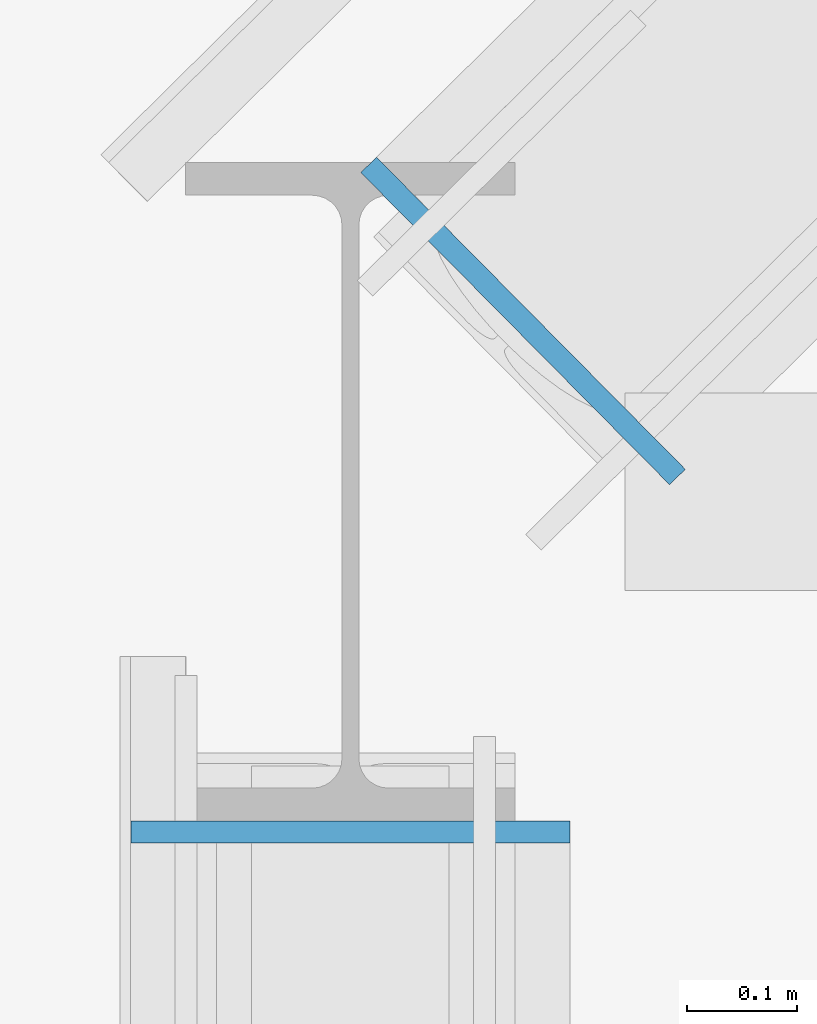
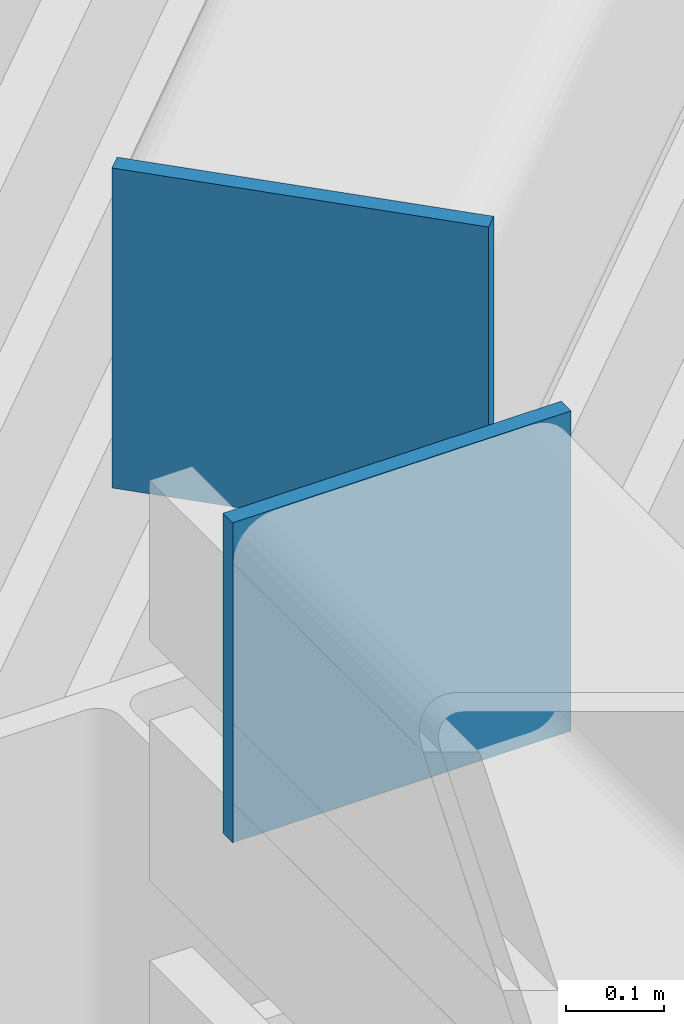
# One storey, part 9 of 22: 2 plates.
"""IFC4 building model written with IfcOpenShell, lengths in metres."""

from ifc_helpers import new_model, si_unit, direction, frame, origin, origin_2d, place, context, subcontext, project, spatial, rectangle, extrude, material, layer, layer_set, type_object, element, save


model = new_model("IFC4")

# Units and contexts
model_context = context("Model", 3, precision=1e-05, world=origin(), true_north=direction((0.0, 1.0)))
body_context = subcontext(model_context, "Body", "Model", "MODEL_VIEW")
ifc_project = project(units=[si_unit("LENGTHUNIT", "METRE"), si_unit("AREAUNIT", "SQUARE_METRE"), si_unit("VOLUMEUNIT", "CUBIC_METRE"), si_unit("PLANEANGLEUNIT", "RADIAN"), si_unit("MASSUNIT", "GRAM", prefix="KILO")], contexts=[model_context])

# Site, building, storey
site_placement = place(None, origin())
site = spatial("IfcSite", under=ifc_project, at=site_placement, CompositionType="ELEMENT")
building_placement = place(site_placement, origin())
building = spatial("IfcBuilding", under=site, at=building_placement, Name="Saffron Gate Tower", CompositionType="ELEMENT")
storey_placement = place(building_placement, frame((0.0, 0.0, 314.85009765625)))
storey = spatial("IfcBuildingStorey", under=building, at=storey_placement, Name="Roof crown", CompositionType="ELEMENT", Elevation=314.85009765625)

# Plates
ifc_material = material(Name="Structural steel S355", Category="steel")
ifc_layer = layer(ifc_material, 0.02001953125)
ifc_layer_set = layer_set([ifc_layer], Name="EP1 box end plate")
plate_type = type_object("IfcPlateType", Name="EP1 box end plate", PredefinedType="SHEET", material=ifc_layer_set)
for number, where, z_axis, x_axis, name in (
    (1, (58.357177734375, 65.555419921875, 8.25), (0.0, 0.0, 1.0), (-0.710902589283, -0.703290486606, 0.0), "RING BEAM end plate"),
    (2, (58.199951171875, 65.090087890625, 8.25), (0.0, 0.0, 1.0), (0.0, -1.0, 0.0), "RING BEAM end plate"),
):
    element("IfcPlate", number, at=place(storey_placement, frame(where, z_axis=z_axis, x_axis=x_axis)), inside=storey, type_object=plate_type, Name=name, PredefinedType="SHEET", context=body_context, shape_type="SweptSolid", body=[
        extrude(rectangle(XDim=0.02001953125, YDim=0.39990234375, at=origin_2d()), origin(), (0.0, 0.0, 1.0), 0.39990234375),
    ])

save(model, "model.ifc")
